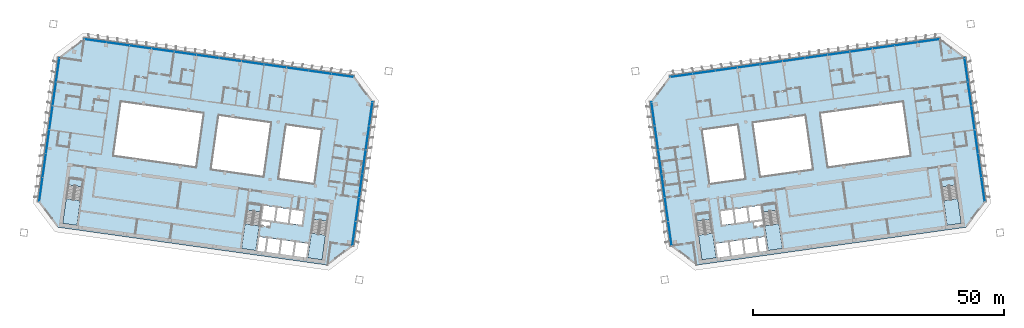
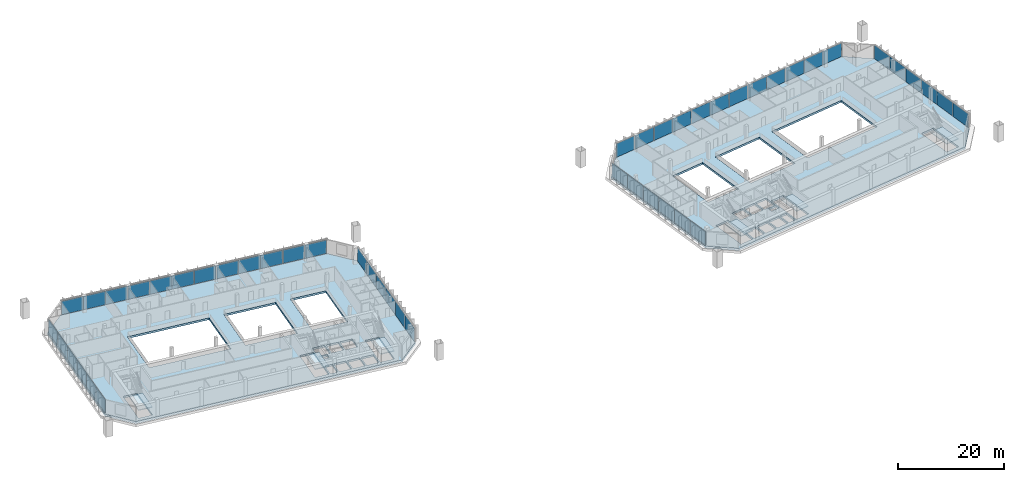
# One storey, part 14 of 26: 48 plates, 8 slabs, 12 elements without a shape of their own.
"""IFC4 building model written with IfcOpenShell, lengths in metres."""

from ifc_helpers import new_model, si_unit, direction, frame, origin, origin_2d, place, context, subcontext, project, spatial, polyline, rectangle, outline, extrude, material, layer, layer_set, type_object, element, aggregate, save


model = new_model("IFC4")

# Units and contexts
model_context = context("Model", 3, precision=1e-05, world=origin(), true_north=direction((0.0, 1.0)))
body_context = subcontext(model_context, "Body", "Model", "MODEL_VIEW")
ifc_project = project(units=[si_unit("LENGTHUNIT", "METRE"), si_unit("AREAUNIT", "SQUARE_METRE"), si_unit("VOLUMEUNIT", "CUBIC_METRE"), si_unit("PLANEANGLEUNIT", "RADIAN"), si_unit("MASSUNIT", "GRAM", prefix="KILO")], contexts=[model_context])

# Site, building, storey
site_placement = place(None, origin())
site = spatial("IfcSite", under=ifc_project, at=site_placement, CompositionType="ELEMENT")
building_placement = place(site_placement, origin())
building = spatial("IfcBuilding", under=site, at=building_placement, Name="Mirante Cascada Hotel Towers", CompositionType="ELEMENT")
storey_placement = place(building_placement, frame((0.0, 0.0, 168.8)))
storey = spatial("IfcBuildingStorey", under=building, at=storey_placement, Name="L39", CompositionType="ELEMENT", Elevation=168.8)

# Curtain wall, plates
ifc_material_1 = material(Name="Aluminium mullion and transom frame with clear laminated glass", Category="aluminium")
curtain_wall_type_1 = type_object("IfcCurtainWallType", Name="Ribbon curtain wall ECW1", PredefinedType="NOTDEFINED", material=ifc_material_1)
curtain_wall_1_placement = place(storey_placement, origin())
curtain_wall_1 = element("IfcCurtainWall", 1, at=curtain_wall_1_placement, inside=storey, type_object=curtain_wall_type_1, Name="Front ribbon wall T1 L39", PredefinedType="NOTDEFINED")
ifc_material_2 = material(Name="Clear laminated glass", Category="glass")
ifc_layer_1 = layer(ifc_material_2, 0.036)
ifc_layer_set_1 = layer_set([ifc_layer_1], Name="ECW1 glass panel 36")
plate_type_1 = type_object("IfcPlateType", Name="ECW1 glass panel 36", PredefinedType="CURTAIN_PANEL", material=ifc_layer_set_1)
plate_1_placement = place(storey_placement, frame((-82.9927, 24.4829, 0.1), z_axis=(0.0, 0.0, 1.0), x_axis=(0.9902681, -0.1391731, 0.0)))
plate_1 = element("IfcPlate", 2, at=plate_1_placement, type_object=plate_type_1, Name="ECW1 panel 1", PredefinedType="CURTAIN_PANEL", context=body_context, shape_type="SweptSolid", body=[
    extrude(rectangle(XDim=4.4203, YDim=0.036, at=origin_2d()), origin(), (0.0, 0.0, 1.0), 3.15),
])
plate_2_placement = place(storey_placement, frame((-78.535, 23.8564, 0.1), z_axis=(0.0, 0.0, 1.0), x_axis=(0.9902681, -0.1391731, 0.0)))
plate_2 = element("IfcPlate", 3, at=plate_2_placement, type_object=plate_type_1, Name="ECW1 panel 2", PredefinedType="CURTAIN_PANEL", context=body_context, shape_type="SweptSolid", body=[
    extrude(rectangle(XDim=4.4528, YDim=0.036, at=origin_2d()), origin(), (0.0, 0.0, 1.0), 3.15),
])
plate_3_placement = place(storey_placement, frame((-74.0612, 23.2276, 0.1), z_axis=(0.0, 0.0, 1.0), x_axis=(0.9902681, -0.1391731, 0.0)))
plate_3 = element("IfcPlate", 4, at=plate_3_placement, type_object=plate_type_1, Name="ECW1 panel 3", PredefinedType="CURTAIN_PANEL", context=body_context, shape_type="SweptSolid", body=[
    extrude(rectangle(XDim=4.4528, YDim=0.036, at=origin_2d()), origin(), (0.0, 0.0, 1.0), 3.15),
])
plate_4_placement = place(storey_placement, frame((-69.5874, 22.5989, 0.1), z_axis=(0.0, 0.0, 1.0), x_axis=(0.9902681, -0.1391731, 0.0)))
plate_4 = element("IfcPlate", 5, at=plate_4_placement, type_object=plate_type_1, Name="ECW1 panel 4", PredefinedType="CURTAIN_PANEL", context=body_context, shape_type="SweptSolid", body=[
    extrude(rectangle(XDim=4.4528, YDim=0.036, at=origin_2d()), origin(), (0.0, 0.0, 1.0), 3.15),
])
plate_5_placement = place(storey_placement, frame((-65.1136, 21.9701, 0.1), z_axis=(0.0, 0.0, 1.0), x_axis=(0.9902681, -0.1391731, 0.0)))
plate_5 = element("IfcPlate", 6, at=plate_5_placement, type_object=plate_type_1, Name="ECW1 panel 5", PredefinedType="CURTAIN_PANEL", context=body_context, shape_type="SweptSolid", body=[
    extrude(rectangle(XDim=4.4528, YDim=0.036, at=origin_2d()), origin(), (0.0, 0.0, 1.0), 3.15),
])
plate_6_placement = place(storey_placement, frame((-60.6397, 21.3414, 0.1), z_axis=(0.0, 0.0, 1.0), x_axis=(0.9902681, -0.1391731, 0.0)))
plate_6 = element("IfcPlate", 7, at=plate_6_placement, type_object=plate_type_1, Name="ECW1 panel 6", PredefinedType="CURTAIN_PANEL", context=body_context, shape_type="SweptSolid", body=[
    extrude(rectangle(XDim=4.4528, YDim=0.036, at=origin_2d()), origin(), (0.0, 0.0, 1.0), 3.15),
])
plate_7_placement = place(storey_placement, frame((-56.1659, 20.7126, 0.1), z_axis=(0.0, 0.0, 1.0), x_axis=(0.9902681, -0.1391731, 0.0)))
plate_7 = element("IfcPlate", 8, at=plate_7_placement, type_object=plate_type_1, Name="ECW1 panel 7", PredefinedType="CURTAIN_PANEL", context=body_context, shape_type="SweptSolid", body=[
    extrude(rectangle(XDim=4.4528, YDim=0.036, at=origin_2d()), origin(), (0.0, 0.0, 1.0), 3.15),
])
plate_8_placement = place(storey_placement, frame((-51.6921, 20.0839, 0.1), z_axis=(0.0, 0.0, 1.0), x_axis=(0.9902681, -0.1391731, 0.0)))
plate_8 = element("IfcPlate", 9, at=plate_8_placement, type_object=plate_type_1, Name="ECW1 panel 8", PredefinedType="CURTAIN_PANEL", context=body_context, shape_type="SweptSolid", body=[
    extrude(rectangle(XDim=4.4528, YDim=0.036, at=origin_2d()), origin(), (0.0, 0.0, 1.0), 3.15),
])
plate_9_placement = place(storey_placement, frame((-47.2183, 19.4551, 0.1), z_axis=(0.0, 0.0, 1.0), x_axis=(0.9902681, -0.1391731, 0.0)))
plate_9 = element("IfcPlate", 10, at=plate_9_placement, type_object=plate_type_1, Name="ECW1 panel 9", PredefinedType="CURTAIN_PANEL", context=body_context, shape_type="SweptSolid", body=[
    extrude(rectangle(XDim=4.4528, YDim=0.036, at=origin_2d()), origin(), (0.0, 0.0, 1.0), 3.15),
])
plate_10_placement = place(storey_placement, frame((-42.7445, 18.8264, 0.1), z_axis=(0.0, 0.0, 1.0), x_axis=(0.9902681, -0.1391731, 0.0)))
plate_10 = element("IfcPlate", 11, at=plate_10_placement, type_object=plate_type_1, Name="ECW1 panel 10", PredefinedType="CURTAIN_PANEL", context=body_context, shape_type="SweptSolid", body=[
    extrude(rectangle(XDim=4.4528, YDim=0.036, at=origin_2d()), origin(), (0.0, 0.0, 1.0), 3.15),
])
plate_11_placement = place(storey_placement, frame((-38.2707, 18.1976, 0.1), z_axis=(0.0, 0.0, 1.0), x_axis=(0.9902681, -0.1391731, 0.0)))
plate_11 = element("IfcPlate", 12, at=plate_11_placement, type_object=plate_type_1, Name="ECW1 panel 11", PredefinedType="CURTAIN_PANEL", context=body_context, shape_type="SweptSolid", body=[
    extrude(rectangle(XDim=4.4528, YDim=0.036, at=origin_2d()), origin(), (0.0, 0.0, 1.0), 3.15),
])
plate_12_placement = place(storey_placement, frame((-33.8129, 17.5711, 0.1), z_axis=(0.0, 0.0, 1.0), x_axis=(0.9902681, -0.1391731, 0.0)))
plate_12 = element("IfcPlate", 13, at=plate_12_placement, type_object=plate_type_1, Name="ECW1 panel 12", PredefinedType="CURTAIN_PANEL", context=body_context, shape_type="SweptSolid", body=[
    extrude(rectangle(XDim=4.4203, YDim=0.036, at=origin_2d()), origin(), (0.0, 0.0, 1.0), 3.15),
])
aggregate(curtain_wall_1, [plate_1, plate_2, plate_3, plate_4, plate_5, plate_6, plate_7, plate_8, plate_9, plate_10, plate_11, plate_12])

curtain_wall_2_placement = place(storey_placement, origin())
curtain_wall_2 = element("IfcCurtainWall", 14, at=curtain_wall_2_placement, inside=storey, type_object=curtain_wall_type_1, Name="Front ribbon wall T2 L39", PredefinedType="NOTDEFINED")
plate_13_placement = place(storey_placement, frame((82.9927, 24.4829, 0.1), z_axis=(0.0, 0.0, 1.0), x_axis=(-0.9902681, -0.1391731, 0.0)))
plate_13 = element("IfcPlate", 15, at=plate_13_placement, type_object=plate_type_1, Name="ECW1 panel 1", PredefinedType="CURTAIN_PANEL", context=body_context, shape_type="SweptSolid", body=[
    extrude(rectangle(XDim=4.4203, YDim=0.036, at=origin_2d()), origin(), (0.0, 0.0, 1.0), 3.15),
])
plate_14_placement = place(storey_placement, frame((78.535, 23.8564, 0.1), z_axis=(0.0, 0.0, 1.0), x_axis=(-0.9902681, -0.1391731, 0.0)))
plate_14 = element("IfcPlate", 16, at=plate_14_placement, type_object=plate_type_1, Name="ECW1 panel 2", PredefinedType="CURTAIN_PANEL", context=body_context, shape_type="SweptSolid", body=[
    extrude(rectangle(XDim=4.4528, YDim=0.036, at=origin_2d()), origin(), (0.0, 0.0, 1.0), 3.15),
])
plate_15_placement = place(storey_placement, frame((74.0612, 23.2276, 0.1), z_axis=(0.0, 0.0, 1.0), x_axis=(-0.9902681, -0.1391731, 0.0)))
plate_15 = element("IfcPlate", 17, at=plate_15_placement, type_object=plate_type_1, Name="ECW1 panel 3", PredefinedType="CURTAIN_PANEL", context=body_context, shape_type="SweptSolid", body=[
    extrude(rectangle(XDim=4.4528, YDim=0.036, at=origin_2d()), origin(), (0.0, 0.0, 1.0), 3.15),
])
plate_16_placement = place(storey_placement, frame((69.5874, 22.5989, 0.1), z_axis=(0.0, 0.0, 1.0), x_axis=(-0.9902681, -0.1391731, 0.0)))
plate_16 = element("IfcPlate", 18, at=plate_16_placement, type_object=plate_type_1, Name="ECW1 panel 4", PredefinedType="CURTAIN_PANEL", context=body_context, shape_type="SweptSolid", body=[
    extrude(rectangle(XDim=4.4528, YDim=0.036, at=origin_2d()), origin(), (0.0, 0.0, 1.0), 3.15),
])
plate_17_placement = place(storey_placement, frame((65.1136, 21.9701, 0.1), z_axis=(0.0, 0.0, 1.0), x_axis=(-0.9902681, -0.1391731, 0.0)))
plate_17 = element("IfcPlate", 19, at=plate_17_placement, type_object=plate_type_1, Name="ECW1 panel 5", PredefinedType="CURTAIN_PANEL", context=body_context, shape_type="SweptSolid", body=[
    extrude(rectangle(XDim=4.4528, YDim=0.036, at=origin_2d()), origin(), (0.0, 0.0, 1.0), 3.15),
])
plate_18_placement = place(storey_placement, frame((60.6397, 21.3414, 0.1), z_axis=(0.0, 0.0, 1.0), x_axis=(-0.9902681, -0.1391731, 0.0)))
plate_18 = element("IfcPlate", 20, at=plate_18_placement, type_object=plate_type_1, Name="ECW1 panel 6", PredefinedType="CURTAIN_PANEL", context=body_context, shape_type="SweptSolid", body=[
    extrude(rectangle(XDim=4.4528, YDim=0.036, at=origin_2d()), origin(), (0.0, 0.0, 1.0), 3.15),
])
plate_19_placement = place(storey_placement, frame((56.1659, 20.7126, 0.1), z_axis=(0.0, 0.0, 1.0), x_axis=(-0.9902681, -0.1391731, 0.0)))
plate_19 = element("IfcPlate", 21, at=plate_19_placement, type_object=plate_type_1, Name="ECW1 panel 7", PredefinedType="CURTAIN_PANEL", context=body_context, shape_type="SweptSolid", body=[
    extrude(rectangle(XDim=4.4528, YDim=0.036, at=origin_2d()), origin(), (0.0, 0.0, 1.0), 3.15),
])
plate_20_placement = place(storey_placement, frame((51.6921, 20.0839, 0.1), z_axis=(0.0, 0.0, 1.0), x_axis=(-0.9902681, -0.1391731, 0.0)))
plate_20 = element("IfcPlate", 22, at=plate_20_placement, type_object=plate_type_1, Name="ECW1 panel 8", PredefinedType="CURTAIN_PANEL", context=body_context, shape_type="SweptSolid", body=[
    extrude(rectangle(XDim=4.4528, YDim=0.036, at=origin_2d()), origin(), (0.0, 0.0, 1.0), 3.15),
])
plate_21_placement = place(storey_placement, frame((47.2183, 19.4551, 0.1), z_axis=(0.0, 0.0, 1.0), x_axis=(-0.9902681, -0.1391731, 0.0)))
plate_21 = element("IfcPlate", 23, at=plate_21_placement, type_object=plate_type_1, Name="ECW1 panel 9", PredefinedType="CURTAIN_PANEL", context=body_context, shape_type="SweptSolid", body=[
    extrude(rectangle(XDim=4.4528, YDim=0.036, at=origin_2d()), origin(), (0.0, 0.0, 1.0), 3.15),
])
plate_22_placement = place(storey_placement, frame((42.7445, 18.8264, 0.1), z_axis=(0.0, 0.0, 1.0), x_axis=(-0.9902681, -0.1391731, 0.0)))
plate_22 = element("IfcPlate", 24, at=plate_22_placement, type_object=plate_type_1, Name="ECW1 panel 10", PredefinedType="CURTAIN_PANEL", context=body_context, shape_type="SweptSolid", body=[
    extrude(rectangle(XDim=4.4528, YDim=0.036, at=origin_2d()), origin(), (0.0, 0.0, 1.0), 3.15),
])
plate_23_placement = place(storey_placement, frame((38.2707, 18.1976, 0.1), z_axis=(0.0, 0.0, 1.0), x_axis=(-0.9902681, -0.1391731, 0.0)))
plate_23 = element("IfcPlate", 25, at=plate_23_placement, type_object=plate_type_1, Name="ECW1 panel 11", PredefinedType="CURTAIN_PANEL", context=body_context, shape_type="SweptSolid", body=[
    extrude(rectangle(XDim=4.4528, YDim=0.036, at=origin_2d()), origin(), (0.0, 0.0, 1.0), 3.15),
])
plate_24_placement = place(storey_placement, frame((33.8129, 17.5711, 0.1), z_axis=(0.0, 0.0, 1.0), x_axis=(-0.9902681, -0.1391731, 0.0)))
plate_24 = element("IfcPlate", 26, at=plate_24_placement, type_object=plate_type_1, Name="ECW1 panel 12", PredefinedType="CURTAIN_PANEL", context=body_context, shape_type="SweptSolid", body=[
    extrude(rectangle(XDim=4.4203, YDim=0.036, at=origin_2d()), origin(), (0.0, 0.0, 1.0), 3.15),
])
aggregate(curtain_wall_2, [plate_13, plate_14, plate_15, plate_16, plate_17, plate_18, plate_19, plate_20, plate_21, plate_22, plate_23, plate_24])

ifc_material_3 = material(Name="Aluminium mullion and transom frame with clear laminated glass", Category="aluminium")
curtain_wall_type_2 = type_object("IfcCurtainWallType", Name="End ribbon curtain wall ECW2", PredefinedType="NOTDEFINED", material=ifc_material_3)
curtain_wall_3_placement = place(storey_placement, origin())
curtain_wall_3 = element("IfcCurtainWall", 27, at=curtain_wall_3_placement, inside=storey, type_object=curtain_wall_type_2, Name="Inner end wall T1 L39", PredefinedType="NOTDEFINED")
ifc_material_4 = material(Name="Clear laminated glass", Category="glass")
ifc_layer_2 = layer(ifc_material_4, 0.034)
ifc_layer_set_2 = layer_set([ifc_layer_2], Name="ECW2 glass panel 34")
plate_type_2 = type_object("IfcPlateType", Name="ECW2 glass panel 34", PredefinedType="CURTAIN_PANEL", material=ifc_layer_set_2)
plate_25_placement = place(storey_placement, frame((-28.142, 9.8723, 0.1), z_axis=(0.0, 0.0, 1.0), x_axis=(-0.1391731, -0.9902681, 0.0)))
plate_25 = element("IfcPlate", 28, at=plate_25_placement, type_object=plate_type_2, Name="ECW2 panel 1", PredefinedType="CURTAIN_PANEL", context=body_context, shape_type="SweptSolid", body=[
    extrude(rectangle(XDim=4.7151, YDim=0.034, at=origin_2d()), origin(), (0.0, 0.0, 1.0), 3.15),
])
plate_26_placement = place(storey_placement, frame((-28.8095, 5.1226, 0.1), z_axis=(0.0, 0.0, 1.0), x_axis=(-0.1391731, -0.9902681, 0.0)))
plate_26 = element("IfcPlate", 29, at=plate_26_placement, type_object=plate_type_2, Name="ECW2 panel 2", PredefinedType="CURTAIN_PANEL", context=body_context, shape_type="SweptSolid", body=[
    extrude(rectangle(XDim=4.7476, YDim=0.034, at=origin_2d()), origin(), (0.0, 0.0, 1.0), 3.15),
])
plate_27_placement = place(storey_placement, frame((-29.4793, 0.3568, 0.1), z_axis=(0.0, 0.0, 1.0), x_axis=(-0.1391731, -0.9902681, 0.0)))
plate_27 = element("IfcPlate", 30, at=plate_27_placement, type_object=plate_type_2, Name="ECW2 panel 3", PredefinedType="CURTAIN_PANEL", context=body_context, shape_type="SweptSolid", body=[
    extrude(rectangle(XDim=4.7476, YDim=0.034, at=origin_2d()), origin(), (0.0, 0.0, 1.0), 3.15),
])
plate_28_placement = place(storey_placement, frame((-30.1491, -4.409, 0.1), z_axis=(0.0, 0.0, 1.0), x_axis=(-0.1391731, -0.9902681, 0.0)))
plate_28 = element("IfcPlate", 31, at=plate_28_placement, type_object=plate_type_2, Name="ECW2 panel 4", PredefinedType="CURTAIN_PANEL", context=body_context, shape_type="SweptSolid", body=[
    extrude(rectangle(XDim=4.7476, YDim=0.034, at=origin_2d()), origin(), (0.0, 0.0, 1.0), 3.15),
])
plate_29_placement = place(storey_placement, frame((-30.8188, -9.1748, 0.1), z_axis=(0.0, 0.0, 1.0), x_axis=(-0.1391731, -0.9902681, 0.0)))
plate_29 = element("IfcPlate", 32, at=plate_29_placement, type_object=plate_type_2, Name="ECW2 panel 5", PredefinedType="CURTAIN_PANEL", context=body_context, shape_type="SweptSolid", body=[
    extrude(rectangle(XDim=4.7476, YDim=0.034, at=origin_2d()), origin(), (0.0, 0.0, 1.0), 3.15),
])
plate_30_placement = place(storey_placement, frame((-31.4864, -13.9245, 0.1), z_axis=(0.0, 0.0, 1.0), x_axis=(-0.1391731, -0.9902681, 0.0)))
plate_30 = element("IfcPlate", 33, at=plate_30_placement, type_object=plate_type_2, Name="ECW2 panel 6", PredefinedType="CURTAIN_PANEL", context=body_context, shape_type="SweptSolid", body=[
    extrude(rectangle(XDim=4.7151, YDim=0.034, at=origin_2d()), origin(), (0.0, 0.0, 1.0), 3.15),
])
aggregate(curtain_wall_3, [plate_25, plate_26, plate_27, plate_28, plate_29, plate_30])

curtain_wall_4_placement = place(storey_placement, origin())
curtain_wall_4 = element("IfcCurtainWall", 34, at=curtain_wall_4_placement, inside=storey, type_object=curtain_wall_type_2, Name="Outer end wall T1 L39", PredefinedType="NOTDEFINED")
plate_31_placement = place(storey_placement, frame((-93.9106, -5.1513, 0.1), z_axis=(0.0, 0.0, 1.0), x_axis=(0.1391731, 0.9902681, 0.0)))
plate_31 = element("IfcPlate", 35, at=plate_31_placement, type_object=plate_type_2, Name="ECW2 panel 1", PredefinedType="CURTAIN_PANEL", context=body_context, shape_type="SweptSolid", body=[
    extrude(rectangle(XDim=4.7151, YDim=0.034, at=origin_2d()), origin(), (0.0, 0.0, 1.0), 3.15),
])
plate_32_placement = place(storey_placement, frame((-92.5732, 4.3641, 0.1), z_axis=(0.0, 0.0, 1.0), x_axis=(0.1391731, 0.9902681, 0.0)))
plate_32 = element("IfcPlate", 36, at=plate_32_placement, type_object=plate_type_2, Name="ECW2 panel 3", PredefinedType="CURTAIN_PANEL", context=body_context, shape_type="SweptSolid", body=[
    extrude(rectangle(XDim=4.7476, YDim=0.034, at=origin_2d()), origin(), (0.0, 0.0, 1.0), 3.15),
])
plate_33_placement = place(storey_placement, frame((-91.9035, 9.1299, 0.1), z_axis=(0.0, 0.0, 1.0), x_axis=(0.1391731, 0.9902681, 0.0)))
plate_33 = element("IfcPlate", 37, at=plate_33_placement, type_object=plate_type_2, Name="ECW2 panel 4", PredefinedType="CURTAIN_PANEL", context=body_context, shape_type="SweptSolid", body=[
    extrude(rectangle(XDim=4.7476, YDim=0.034, at=origin_2d()), origin(), (0.0, 0.0, 1.0), 3.15),
])
plate_34_placement = place(storey_placement, frame((-90.5661, 18.6454, 0.1), z_axis=(0.0, 0.0, 1.0), x_axis=(0.1391731, 0.9902681, 0.0)))
plate_34 = element("IfcPlate", 38, at=plate_34_placement, type_object=plate_type_2, Name="ECW2 panel 6", PredefinedType="CURTAIN_PANEL", context=body_context, shape_type="SweptSolid", body=[
    extrude(rectangle(XDim=4.7151, YDim=0.034, at=origin_2d()), origin(), (0.0, 0.0, 1.0), 3.15),
])

curtain_wall_5_placement = place(storey_placement, origin())
curtain_wall_5 = element("IfcCurtainWall", 39, at=curtain_wall_5_placement, inside=storey, type_object=curtain_wall_type_2, Name="Inner end wall T2 L39", PredefinedType="NOTDEFINED")
plate_35_placement = place(storey_placement, frame((28.142, 9.8723, 0.1), z_axis=(0.0, 0.0, 1.0), x_axis=(0.1391731, -0.9902681, 0.0)))
plate_35 = element("IfcPlate", 40, at=plate_35_placement, type_object=plate_type_2, Name="ECW2 panel 1", PredefinedType="CURTAIN_PANEL", context=body_context, shape_type="SweptSolid", body=[
    extrude(rectangle(XDim=4.7151, YDim=0.034, at=origin_2d()), origin(), (0.0, 0.0, 1.0), 3.15),
])
plate_36_placement = place(storey_placement, frame((28.8095, 5.1226, 0.1), z_axis=(0.0, 0.0, 1.0), x_axis=(0.1391731, -0.9902681, 0.0)))
plate_36 = element("IfcPlate", 41, at=plate_36_placement, type_object=plate_type_2, Name="ECW2 panel 2", PredefinedType="CURTAIN_PANEL", context=body_context, shape_type="SweptSolid", body=[
    extrude(rectangle(XDim=4.7476, YDim=0.034, at=origin_2d()), origin(), (0.0, 0.0, 1.0), 3.15),
])
plate_37_placement = place(storey_placement, frame((29.4793, 0.3568, 0.1), z_axis=(0.0, 0.0, 1.0), x_axis=(0.1391731, -0.9902681, 0.0)))
plate_37 = element("IfcPlate", 42, at=plate_37_placement, type_object=plate_type_2, Name="ECW2 panel 3", PredefinedType="CURTAIN_PANEL", context=body_context, shape_type="SweptSolid", body=[
    extrude(rectangle(XDim=4.7476, YDim=0.034, at=origin_2d()), origin(), (0.0, 0.0, 1.0), 3.15),
])
plate_38_placement = place(storey_placement, frame((30.1491, -4.409, 0.1), z_axis=(0.0, 0.0, 1.0), x_axis=(0.1391731, -0.9902681, 0.0)))
plate_38 = element("IfcPlate", 43, at=plate_38_placement, type_object=plate_type_2, Name="ECW2 panel 4", PredefinedType="CURTAIN_PANEL", context=body_context, shape_type="SweptSolid", body=[
    extrude(rectangle(XDim=4.7476, YDim=0.034, at=origin_2d()), origin(), (0.0, 0.0, 1.0), 3.15),
])
plate_39_placement = place(storey_placement, frame((30.8188, -9.1748, 0.1), z_axis=(0.0, 0.0, 1.0), x_axis=(0.1391731, -0.9902681, 0.0)))
plate_39 = element("IfcPlate", 44, at=plate_39_placement, type_object=plate_type_2, Name="ECW2 panel 5", PredefinedType="CURTAIN_PANEL", context=body_context, shape_type="SweptSolid", body=[
    extrude(rectangle(XDim=4.7476, YDim=0.034, at=origin_2d()), origin(), (0.0, 0.0, 1.0), 3.15),
])
plate_40_placement = place(storey_placement, frame((31.4864, -13.9245, 0.1), z_axis=(0.0, 0.0, 1.0), x_axis=(0.1391731, -0.9902681, 0.0)))
plate_40 = element("IfcPlate", 45, at=plate_40_placement, type_object=plate_type_2, Name="ECW2 panel 6", PredefinedType="CURTAIN_PANEL", context=body_context, shape_type="SweptSolid", body=[
    extrude(rectangle(XDim=4.7151, YDim=0.034, at=origin_2d()), origin(), (0.0, 0.0, 1.0), 3.15),
])
aggregate(curtain_wall_5, [plate_35, plate_36, plate_37, plate_38, plate_39, plate_40])

curtain_wall_6_placement = place(storey_placement, origin())
curtain_wall_6 = element("IfcCurtainWall", 46, at=curtain_wall_6_placement, inside=storey, type_object=curtain_wall_type_2, Name="Outer end wall T2 L39", PredefinedType="NOTDEFINED")
plate_41_placement = place(storey_placement, frame((93.9106, -5.1513, 0.1), z_axis=(0.0, 0.0, 1.0), x_axis=(-0.1391731, 0.9902681, 0.0)))
plate_41 = element("IfcPlate", 47, at=plate_41_placement, type_object=plate_type_2, Name="ECW2 panel 1", PredefinedType="CURTAIN_PANEL", context=body_context, shape_type="SweptSolid", body=[
    extrude(rectangle(XDim=4.7151, YDim=0.034, at=origin_2d()), origin(), (0.0, 0.0, 1.0), 3.15),
])
plate_42_placement = place(storey_placement, frame((92.5732, 4.3641, 0.1), z_axis=(0.0, 0.0, 1.0), x_axis=(-0.1391731, 0.9902681, 0.0)))
plate_42 = element("IfcPlate", 48, at=plate_42_placement, type_object=plate_type_2, Name="ECW2 panel 3", PredefinedType="CURTAIN_PANEL", context=body_context, shape_type="SweptSolid", body=[
    extrude(rectangle(XDim=4.7476, YDim=0.034, at=origin_2d()), origin(), (0.0, 0.0, 1.0), 3.15),
])
plate_43_placement = place(storey_placement, frame((91.9035, 9.1299, 0.1), z_axis=(0.0, 0.0, 1.0), x_axis=(-0.1391731, 0.9902681, 0.0)))
plate_43 = element("IfcPlate", 49, at=plate_43_placement, type_object=plate_type_2, Name="ECW2 panel 4", PredefinedType="CURTAIN_PANEL", context=body_context, shape_type="SweptSolid", body=[
    extrude(rectangle(XDim=4.7476, YDim=0.034, at=origin_2d()), origin(), (0.0, 0.0, 1.0), 3.15),
])
plate_44_placement = place(storey_placement, frame((90.5661, 18.6454, 0.1), z_axis=(0.0, 0.0, 1.0), x_axis=(-0.1391731, 0.9902681, 0.0)))
plate_44 = element("IfcPlate", 50, at=plate_44_placement, type_object=plate_type_2, Name="ECW2 panel 6", PredefinedType="CURTAIN_PANEL", context=body_context, shape_type="SweptSolid", body=[
    extrude(rectangle(XDim=4.7151, YDim=0.034, at=origin_2d()), origin(), (0.0, 0.0, 1.0), 3.15),
])

# Plate
ifc_material_5 = material(Name="Insulated aluminium spandrel panel", Category="aluminium")
ifc_layer_3 = layer(ifc_material_5, 0.034)
ifc_layer_set_3 = layer_set([ifc_layer_3], Name="ECW2 spandrel panel 34")
plate_type_3 = type_object("IfcPlateType", Name="ECW2 spandrel panel 34", PredefinedType="CURTAIN_PANEL", material=ifc_layer_set_3)
plate_45_placement = place(storey_placement, frame((-93.243, -0.4017, 0.1), z_axis=(0.0, 0.0, 1.0), x_axis=(0.1391731, 0.9902681, 0.0)))
plate_45 = element("IfcPlate", 51, at=plate_45_placement, type_object=plate_type_3, Name="ECW2 panel 2", PredefinedType="CURTAIN_PANEL", context=body_context, shape_type="SweptSolid", body=[
    extrude(rectangle(XDim=4.7476, YDim=0.034, at=origin_2d()), origin(), (0.0, 0.0, 1.0), 3.15),
])

plate_46_placement = place(storey_placement, frame((-91.2337, 13.8957, 0.1), z_axis=(0.0, 0.0, 1.0), x_axis=(0.1391731, 0.9902681, 0.0)))
plate_46 = element("IfcPlate", 52, at=plate_46_placement, type_object=plate_type_3, Name="ECW2 panel 5", PredefinedType="CURTAIN_PANEL", context=body_context, shape_type="SweptSolid", body=[
    extrude(rectangle(XDim=4.7476, YDim=0.034, at=origin_2d()), origin(), (0.0, 0.0, 1.0), 3.15),
])

aggregate(curtain_wall_4, [plate_31, plate_45, plate_32, plate_33, plate_46, plate_34])

plate_47_placement = place(storey_placement, frame((93.243, -0.4017, 0.1), z_axis=(0.0, 0.0, 1.0), x_axis=(-0.1391731, 0.9902681, 0.0)))
plate_47 = element("IfcPlate", 53, at=plate_47_placement, type_object=plate_type_3, Name="ECW2 panel 2", PredefinedType="CURTAIN_PANEL", context=body_context, shape_type="SweptSolid", body=[
    extrude(rectangle(XDim=4.7476, YDim=0.034, at=origin_2d()), origin(), (0.0, 0.0, 1.0), 3.15),
])

plate_48_placement = place(storey_placement, frame((91.2337, 13.8957, 0.1), z_axis=(0.0, 0.0, 1.0), x_axis=(-0.1391731, 0.9902681, 0.0)))
plate_48 = element("IfcPlate", 54, at=plate_48_placement, type_object=plate_type_3, Name="ECW2 panel 5", PredefinedType="CURTAIN_PANEL", context=body_context, shape_type="SweptSolid", body=[
    extrude(rectangle(XDim=4.7476, YDim=0.034, at=origin_2d()), origin(), (0.0, 0.0, 1.0), 3.15),
])

aggregate(curtain_wall_6, [plate_41, plate_47, plate_42, plate_43, plate_48, plate_44])

# Stair, slab
ifc_material_6 = material(Name="Concrete C35/45", Category="concrete")
stair_type = type_object("IfcStairType", Name="Exit stair half-turn 1350 concrete C35/45", PredefinedType="HALF_TURN_STAIR", material=ifc_material_6)
stair_1_placement = place(storey_placement, origin())
stair_1 = element("IfcStair", 55, at=stair_1_placement, inside=storey, type_object=stair_type, Name="L39 Exit stair A", PredefinedType="HALF_TURN_STAIR")
ifc_material_7 = material(Name="Concrete C35/45", Category="concrete")
ifc_layer_4 = layer(ifc_material_7, 0.2)
ifc_layer_set_4 = layer_set([ifc_layer_4], Name="Exit stair landing 200 concrete C35/45")
slab_type_1 = type_object("IfcSlabType", Name="Exit stair landing 200 concrete C35/45", PredefinedType="LANDING", material=ifc_layer_set_4)
slab_1_placement = place(storey_placement, frame((0.0, 0.0, 1.7)))
slab_1 = element("IfcSlab", 56, at=slab_1_placement, type_object=slab_type_1, Name="ST1-A landing 1", PredefinedType="LANDING", context=body_context, shape_type="SweptSolid", body=[
    extrude(outline(polyline([(-39.9987, -13.8659), (-40.6887, -18.7757), (-37.8665, -19.1723), (-37.1765, -14.2626), (-39.9987, -13.8659)])), origin(), (0.0, 0.0, 1.0), 0.2),
])
aggregate(stair_1, [slab_1])

stair_2_placement = place(storey_placement, origin())
stair_2 = element("IfcStair", 57, at=stair_2_placement, inside=storey, type_object=stair_type, Name="L39 Exit stair B", PredefinedType="HALF_TURN_STAIR")
slab_2_placement = place(storey_placement, frame((0.0, 0.0, 1.7)))
slab_2 = element("IfcSlab", 58, at=slab_2_placement, type_object=slab_type_1, Name="ST1-B landing 1", PredefinedType="LANDING", context=body_context, shape_type="SweptSolid", body=[
    extrude(outline(polyline([(-53.2188, -12.008), (-53.9088, -16.9177), (-51.0866, -17.3144), (-50.3965, -12.4046), (-53.2188, -12.008)])), origin(), (0.0, 0.0, 1.0), 0.2),
])
aggregate(stair_2, [slab_2])

stair_3_placement = place(storey_placement, origin())
stair_3 = element("IfcStair", 59, at=stair_3_placement, inside=storey, type_object=stair_type, Name="L39 Exit stair C", PredefinedType="HALF_TURN_STAIR")
slab_3_placement = place(storey_placement, frame((0.0, 0.0, 1.7)))
slab_3 = element("IfcSlab", 60, at=slab_3_placement, type_object=slab_type_1, Name="ST1-C landing 1", PredefinedType="LANDING", context=body_context, shape_type="SweptSolid", body=[
    extrude(outline(polyline([(-88.8685, -6.9977), (-89.5585, -11.9075), (-86.7362, -12.3041), (-86.0462, -7.3944), (-88.8685, -6.9977)])), origin(), (0.0, 0.0, 1.0), 0.2),
])
aggregate(stair_3, [slab_3])

stair_4_placement = place(storey_placement, origin())
stair_4 = element("IfcStair", 61, at=stair_4_placement, inside=storey, type_object=stair_type, Name="L39 Exit stair A", PredefinedType="HALF_TURN_STAIR")
slab_4_placement = place(storey_placement, frame((0.0, 0.0, 1.7)))
slab_4 = element("IfcSlab", 62, at=slab_4_placement, type_object=slab_type_1, Name="ST2-A landing 1", PredefinedType="LANDING", context=body_context, shape_type="SweptSolid", body=[
    extrude(outline(polyline([(37.1765, -14.2626), (37.8665, -19.1723), (40.6887, -18.7757), (39.9987, -13.8659), (37.1765, -14.2626)])), origin(), (0.0, 0.0, 1.0), 0.2),
])
aggregate(stair_4, [slab_4])

stair_5_placement = place(storey_placement, origin())
stair_5 = element("IfcStair", 63, at=stair_5_placement, inside=storey, type_object=stair_type, Name="L39 Exit stair B", PredefinedType="HALF_TURN_STAIR")
slab_5_placement = place(storey_placement, frame((0.0, 0.0, 1.7)))
slab_5 = element("IfcSlab", 64, at=slab_5_placement, type_object=slab_type_1, Name="ST2-B landing 1", PredefinedType="LANDING", context=body_context, shape_type="SweptSolid", body=[
    extrude(outline(polyline([(50.3965, -12.4046), (51.0866, -17.3144), (53.9088, -16.9177), (53.2188, -12.008), (50.3965, -12.4046)])), origin(), (0.0, 0.0, 1.0), 0.2),
])
aggregate(stair_5, [slab_5])

stair_6_placement = place(storey_placement, origin())
stair_6 = element("IfcStair", 65, at=stair_6_placement, inside=storey, type_object=stair_type, Name="L39 Exit stair C", PredefinedType="HALF_TURN_STAIR")
slab_6_placement = place(storey_placement, frame((0.0, 0.0, 1.7)))
slab_6 = element("IfcSlab", 66, at=slab_6_placement, type_object=slab_type_1, Name="ST2-C landing 1", PredefinedType="LANDING", context=body_context, shape_type="SweptSolid", body=[
    extrude(outline(polyline([(86.0462, -7.3944), (86.7362, -12.3041), (89.5585, -11.9075), (88.8685, -6.9977), (86.0462, -7.3944)])), origin(), (0.0, 0.0, 1.0), 0.2),
])
aggregate(stair_6, [slab_6])

# Slabs
ifc_material_8 = material(Name="Concrete C40/50", Category="concrete")
ifc_layer_5 = layer(ifc_material_8, 0.45)
ifc_layer_set_5 = layer_set([ifc_layer_5], Name="Post-tensioned flat plate 450 Concrete C40/50")
slab_type_2 = type_object("IfcSlabType", Name="Post-tensioned flat plate 450 Concrete C40/50", PredefinedType="FLOOR", material=ifc_layer_set_5)
slab_7_placement = place(storey_placement, frame((0.0, 0.0, -0.45)))
element("IfcSlab", 67, at=slab_7_placement, inside=storey, type_object=slab_type_2, Name="Floor T1 L39", PredefinedType="FLOOR", context=body_context, shape_type="SweptSolid", body=[
    extrude(outline(polyline([(-31.6836, -16.4059), (-27.6476, 12.3119), (-31.4775, 17.3944), (-85.2864, 24.9567), (-90.3689, 21.1268), (-94.4049, -7.591), (-90.575, -12.6735), (-36.7661, -20.2358), (-31.6836, -16.4059)]), holes=[polyline([(-40.5961, -15.9612), (-40.9858, -18.7339), (-43.4615, -18.386), (-43.0718, -15.6132), (-40.5961, -15.9612)]), polyline([(-45.8446, -15.2236), (-43.3689, -15.5715), (-43.7586, -18.3442), (-46.2342, -17.9963), (-45.8446, -15.2236)]), polyline([(-48.6173, -14.8339), (-46.1416, -15.1818), (-46.5313, -17.9546), (-49.007, -17.6066), (-48.6173, -14.8339)]), polyline([(-37.8665, -19.1723), (-40.6887, -18.7757), (-39.611, -11.107), (-36.7887, -11.5037), (-37.8665, -19.1723)]), polyline([(-43.9775, -9.124), (-41.5018, -9.472), (-41.8915, -12.2447), (-44.3672, -11.8968), (-43.9775, -9.124)]), polyline([(-46.7503, -8.7344), (-44.2746, -9.0823), (-44.6643, -11.855), (-47.1399, -11.5071), (-46.7503, -8.7344)]), polyline([(-48.9144, -14.7921), (-49.3041, -17.5649), (-50.7895, -17.3561), (-50.3998, -14.5834), (-48.9144, -14.7921)]), polyline([(-50.0088, -9.6457), (-51.0866, -17.3144), (-53.9088, -16.9177), (-52.8311, -9.2491), (-50.0088, -9.6457)]), polyline([(-85.6585, -4.6355), (-86.7362, -12.3041), (-89.5585, -11.9075), (-88.4807, -4.2388), (-85.6585, -4.6355)]), polyline([(-48.1472, -11.6685), (-48.2829, -12.634), (-50.0901, -12.38), (-49.9544, -11.4145), (-48.1472, -11.6685)]), polyline([(-49.523, -8.3447), (-47.0473, -8.6926), (-47.437, -11.4654), (-49.9127, -11.1174), (-49.523, -8.3447)]), polyline([(-61.4549, 10.0954), (-61.4549, 10.0954), (-62.9858, -0.7976), (-62.9858, -0.7976), (-79.4915, 1.5222), (-77.9606, 12.4151), (-61.4549, 10.0954)]), polyline([(-48.0027, 8.2048), (-49.5336, -2.6881), (-49.5336, -2.6881), (-60.013, -1.2154), (-60.013, -1.2154), (-58.4821, 9.6776), (-48.0027, 8.2048)]), polyline([(-37.8547, 6.7786), (-39.3856, -4.1144), (-46.5608, -3.1059), (-46.5608, -3.1059), (-45.0299, 7.787), (-37.8547, 6.7786)])]), origin(), (0.0, 0.0, 1.0), 0.45),
])
slab_8_placement = place(storey_placement, frame((0.0, 0.0, -0.45)))
element("IfcSlab", 68, at=slab_8_placement, inside=storey, type_object=slab_type_2, Name="Floor T2 L39", PredefinedType="FLOOR", context=body_context, shape_type="SweptSolid", body=[
    extrude(outline(polyline([(31.6836, -16.4059), (27.6476, 12.3119), (31.4775, 17.3944), (85.2864, 24.9567), (90.3689, 21.1268), (94.4049, -7.591), (90.575, -12.6735), (36.7661, -20.2358), (31.6836, -16.4059)]), holes=[polyline([(40.5961, -15.9612), (40.9858, -18.7339), (43.4615, -18.386), (43.0718, -15.6132), (40.5961, -15.9612)]), polyline([(45.8446, -15.2236), (43.3689, -15.5715), (43.7586, -18.3442), (46.2342, -17.9963), (45.8446, -15.2236)]), polyline([(48.6173, -14.8339), (46.1416, -15.1818), (46.5313, -17.9546), (49.007, -17.6066), (48.6173, -14.8339)]), polyline([(40.6887, -18.7757), (39.611, -11.107), (36.7887, -11.5037), (37.8665, -19.1723), (40.6887, -18.7757)]), polyline([(43.9775, -9.124), (41.5018, -9.472), (41.8915, -12.2447), (44.3672, -11.8968), (43.9775, -9.124)]), polyline([(46.7503, -8.7344), (44.2746, -9.0823), (44.6643, -11.855), (47.1399, -11.5071), (46.7503, -8.7344)]), polyline([(48.9144, -14.7921), (49.3041, -17.5649), (50.7895, -17.3561), (50.3998, -14.5834), (48.9144, -14.7921)]), polyline([(51.0866, -17.3144), (53.9088, -16.9177), (52.8311, -9.2491), (50.0088, -9.6457), (51.0866, -17.3144)]), polyline([(86.7362, -12.3041), (89.5585, -11.9075), (88.4807, -4.2388), (85.6585, -4.6355), (86.7362, -12.3041)]), polyline([(48.1472, -11.6685), (48.2829, -12.634), (50.0901, -12.38), (49.9544, -11.4145), (48.1472, -11.6685)]), polyline([(49.523, -8.3447), (47.0473, -8.6926), (47.437, -11.4654), (49.9127, -11.1174), (49.523, -8.3447)]), polyline([(77.9606, 12.4151), (79.4915, 1.5222), (62.9858, -0.7976), (62.9858, -0.7976), (61.4549, 10.0954), (61.4549, 10.0954), (77.9606, 12.4151)]), polyline([(58.4821, 9.6776), (60.013, -1.2154), (60.013, -1.2154), (49.5336, -2.6881), (49.5336, -2.6881), (48.0027, 8.2048), (58.4821, 9.6776)]), polyline([(39.3856, -4.1144), (37.8547, 6.7786), (45.0299, 7.787), (46.5608, -3.1059), (46.5608, -3.1059), (39.3856, -4.1144)])]), origin(), (0.0, 0.0, 1.0), 0.45),
])

save(model, "model.ifc")
